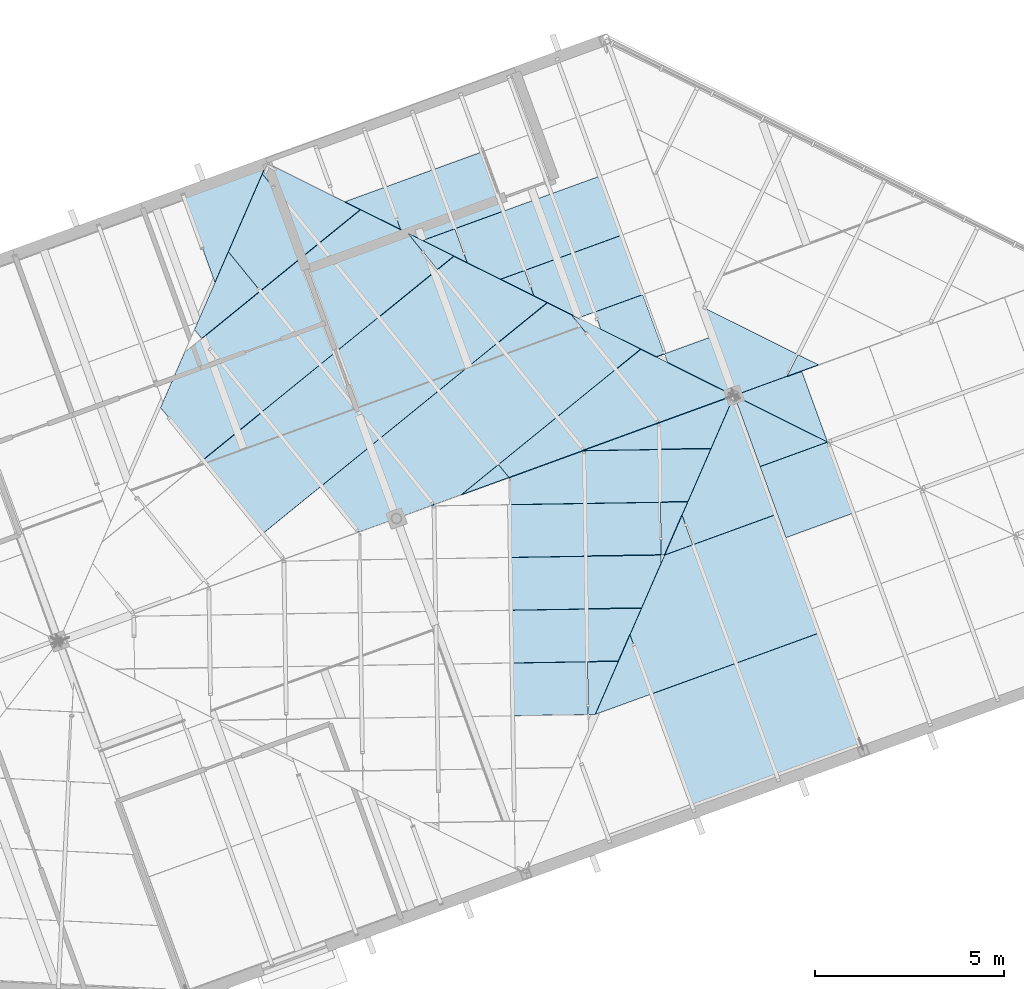
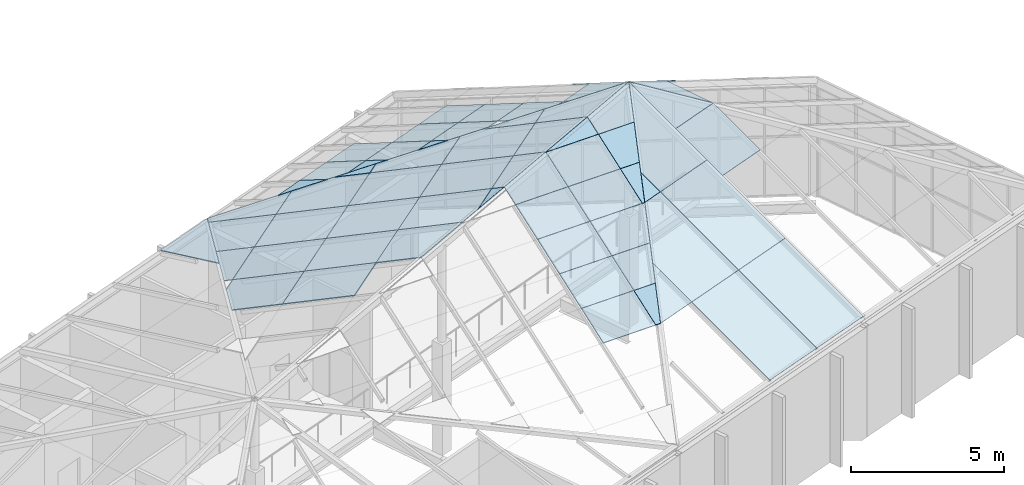
# One storey, part 41 of 95: 61 plates.
"""IFC4 building model written with IfcOpenShell, lengths in metres."""

from ifc_helpers import new_model, si_unit, direction, frame, origin, place, context, subcontext, project, spatial, polyline, outline, extrude, material, layer, layer_set, type_object, element, save


model = new_model("IFC4")

# Units and contexts
model_context = context("Model", 3, precision=1e-05, world=origin(), true_north=direction((0.0, 1.0)))
body_context = subcontext(model_context, "Body", "Model", "MODEL_VIEW")
ifc_project = project(units=[si_unit("LENGTHUNIT", "METRE"), si_unit("AREAUNIT", "SQUARE_METRE"), si_unit("VOLUMEUNIT", "CUBIC_METRE"), si_unit("PLANEANGLEUNIT", "RADIAN"), si_unit("MASSUNIT", "GRAM", prefix="KILO")], contexts=[model_context])

# Site, building, storey
site_placement = place(None, origin())
site = spatial("IfcSite", under=ifc_project, at=site_placement, CompositionType="ELEMENT")
building_placement = place(site_placement, origin())
building = spatial("IfcBuilding", under=site, at=building_placement, Name="Windward Yard Aquatics Centre", CompositionType="ELEMENT")
storey_placement = place(building_placement, frame((0.0, 0.0, 9.39990234375)))
storey = spatial("IfcBuildingStorey", under=building, at=storey_placement, Name="L02", CompositionType="ELEMENT", Elevation=9.39990234375)

# Plates
ifc_material = material(Name="Laminated glass, low-e coated", Category="glass")
ifc_layer = layer(ifc_material, 0.035888671875)
ifc_layer_set = layer_set([ifc_layer], Name="F roof glass panel 36")
plate_type = type_object("IfcPlateType", Name="F roof glass panel 36", PredefinedType="SHEET", material=ifc_layer_set)
for number, where, z_axis, x_axis, name in (
    (1, (34.97802734375, 88.171142578125, 6.36572265625), (0.149250543266, -0.410073899698, 0.899757562969), (0.939709071962, 0.34197494018, -1.8996433e-05), "F.RF.G.01.001"),
    (2, (33.837890625, 91.303466796875, 7.982421875), (0.149250543266, -0.410073899698, 0.899757562969), (0.939709071962, 0.34197494018, -1.8996433e-05), "F.RF.G.01.002"),
):
    element("IfcPlate", number, at=place(storey_placement, frame(where, z_axis=z_axis, x_axis=x_axis)), inside=storey, type_object=plate_type, Name=name, PredefinedType="SHEET", context=body_context, shape_type="SweptSolid", body=[
        extrude(outline(polyline([(0.0, 0.0), (2.370968, 0.0), (2.371178, -3.700132), (0.000127, -3.700339), (0.0, 0.0)])), origin(), (0.0, 0.0, -1.0), 0.035888671875),
    ])
plate_1_placement = place(storey_placement, frame((33.552490234375, 92.087646484375, 8.38720703125), z_axis=(0.149258099079, -0.410060037869, 0.899762627142), x_axis=(0.376664124604, 0.864927057215, 0.331700652598)))
element("IfcPlate", 3, at=plate_1_placement, inside=storey, type_object=plate_type, Name="F.RF.G.01.003", PredefinedType="SHEET", context=body_context, shape_type="SweptSolid", body=[
    extrude(outline(polyline([(0.0, 0.0), (3.649162, 0.0), (0.839034, -2.402168), (-0.70167, -0.599915), (0.0, 0.0)])), origin(), (0.0, 0.0, -1.0), 0.035888671875),
])
plate_2_placement = place(storey_placement, frame((32.74609375, 87.35888671875, 6.36572265625), z_axis=(0.149256249007, -0.41006710833, 0.8997597117), x_axis=(0.939707925111, 0.341978091129, -2.5910388e-05)))
element("IfcPlate", 4, at=plate_2_placement, inside=storey, type_object=plate_type, Name="F.RF.G.01.004", PredefinedType="SHEET", context=body_context, shape_type="SweptSolid", body=[
    extrude(outline(polyline([(0.0, 0.0), (2.370968, 0.0), (2.371178, -3.700132), (0.000356, -3.700414), (0.0, 0.0)])), origin(), (0.0, 0.0, -1.0), 0.035888671875),
])
plate_3_placement = place(storey_placement, frame((32.17578125, 88.926025390625, 7.1748046875), z_axis=(0.1493037838, -0.410077293347, 0.899747183171), x_axis=(0.376681456048, 0.864920540934, 0.33169796282)))
element("IfcPlate", 5, at=plate_3_placement, inside=storey, type_object=plate_type, Name="F.RF.G.01.005", PredefinedType="SHEET", context=body_context, shape_type="SweptSolid", body=[
    extrude(outline(polyline([(0.0, 0.0), (2.435088, 0.0), (2.947622, -0.599567), (0.135098, -3.003872), (-1.40564, -1.201648), (0.0, 0.0)])), origin(), (0.0, 0.0, -1.0), 0.035888671875),
])
plate_4_placement = place(storey_placement, frame((33.09521484375, 91.037353515625, 7.984375), z_axis=(0.149363639577, -0.410206868328, 0.899678180434), x_axis=(0.376668975113, 0.864883698221, 0.331808185159)))
element("IfcPlate", 6, at=plate_4_placement, inside=storey, type_object=plate_type, Name="F.RF.G.01.006", PredefinedType="SHEET", context=body_context, shape_type="SweptSolid", body=[
    extrude(outline(polyline([(0.0, 0.0), (1.208165, 0.0), (0.51008, -0.596589), (0.0, 0.0)])), origin(), (0.0, 0.0, -1.0), 0.035888671875),
])
plate_5_placement = place(storey_placement, frame((31.259521484375, 86.822021484375, 6.36767578125), z_axis=(0.149195999426, -0.410086286465, 0.899760963483), x_axis=(0.376706933051, 0.864896580264, 0.331731505948)))
element("IfcPlate", 7, at=plate_5_placement, inside=storey, type_object=plate_type, Name="F.RF.G.01.008", PredefinedType="SHEET", context=body_context, shape_type="SweptSolid", body=[
    extrude(outline(polyline([(0.0, 0.0), (2.426455, 0.0), (1.024396, -1.198585), (0.0, 0.0)])), origin(), (0.0, 0.0, -1.0), 0.035888671875),
])
plate_6_placement = place(storey_placement, frame((35.61376953125, 93.36865234375, 8.629150390625), z_axis=(0.14927906814, -0.410046813558, 0.899765175202), x_axis=(0.939684160093, 0.342043387169, -2.3755928e-05)))
element("IfcPlate", 8, at=plate_6_placement, inside=storey, type_object=plate_type, Name="F.RF.G.02.014", PredefinedType="SHEET", context=body_context, shape_type="SweptSolid", body=[
    extrude(outline(polyline([(0.0, 0.0), (1.895836, 0.0), (1.895805, -2.218216), (-0.000114, -2.218422), (0.0, 0.0)])), origin(), (0.0, 0.0, -1.0), 0.035888671875),
])
plate_7_placement = place(storey_placement, frame((34.9306640625, 95.2451171875, 9.59765625), z_axis=(0.149265048403, -0.410042846876, 0.899769308796), x_axis=(0.84452681723, -0.420420195323, -0.331694610061)))
element("IfcPlate", 9, at=plate_7_placement, inside=storey, type_object=plate_type, Name="F.RF.G.02.015", PredefinedType="SHEET", context=body_context, shape_type="SweptSolid", body=[
    extrude(outline(polyline([(0.0, 0.0), (2.913984, 0.0), (1.683628, -1.439321), (0.0, 0.0)])), origin(), (0.0, 0.0, -1.0), 0.035888671875),
])
plate_8_placement = place(storey_placement, frame((34.93212890625, 95.248779296875, 9.59765625), z_axis=(0.42726892999, 0.1555122999, 0.890649867257), x_axis=(0.83690946178, 0.304696144106, -0.454689798159)))
element("IfcPlate", 10, at=plate_8_placement, inside=storey, type_object=plate_type, Name="F.RF.G.03.005", PredefinedType="SHEET", context=body_context, shape_type="SweptSolid", body=[
    extrude(outline(polyline([(0.0, 0.0), (2.125741, 0.0), (2.125577, -1.992994), (0.0, 0.0)])), origin(), (0.0, 0.0, -1.0), 0.035888671875),
])
plate_9_placement = place(storey_placement, frame((34.11181640625, 97.494873046875, 8.440185546875), z_axis=(0.256576841481, 0.515405649617, 0.817633989483), x_axis=(0.363468251723, 0.73240460973, -0.575738063389)))
element("IfcPlate", 11, at=plate_9_placement, inside=storey, type_object=plate_type, Name="F.RF.G.04.009", PredefinedType="SHEET", context=body_context, shape_type="SweptSolid", body=[
    extrude(outline(polyline([(0.0, 0.0), (0.089241, 0.0), (0.086254, -2.75458), (-0.695627, -2.75376), (-2.012847, -1.728473), (0.0, 0.0)])), origin(), (0.0, 0.0, -1.0), 0.035888671875),
])
plate_10_placement = place(storey_placement, frame((36.330810546875, 95.76220703125, 8.836181640625), z_axis=(0.256622120987, 0.51557505143, 0.817512968315), x_axis=(0.364344927992, 0.731833470549, -0.575910188164)))
element("IfcPlate", 12, at=plate_10_placement, inside=storey, type_object=plate_type, Name="F.RF.G.04.013", PredefinedType="SHEET", context=body_context, shape_type="SweptSolid", body=[
    extrude(outline(polyline([(0.0, 0.0), (0.776624, 0.0), (0.776668, -0.603237), (0.0, 0.0)])), origin(), (0.0, 0.0, -1.0), 0.035888671875),
])
plate_11_placement = place(storey_placement, frame((24.642578125, 100.3720703125, 5.559326171875), z_axis=(-0.149231390388, 0.410078385778, 0.899758695229), x_axis=(0.939710984281, 0.341969685823, 0.0)))
element("IfcPlate", 13, at=plate_11_placement, inside=storey, type_object=plate_type, Name="F.RF.G.05.003", PredefinedType="SHEET", context=body_context, shape_type="SweptSolid", body=[
    extrude(outline(polyline([(0.0, 0.0), (1.124431, 0.0), (1.124522, -1.315286), (0.0, 0.0)])), origin(), (0.0, 0.0, -1.0), 0.035888671875),
])
plate_12_placement = place(storey_placement, frame((25.702880859375, 100.7578125, 5.559326171875), z_axis=(-0.149190020019, 0.410100809841, 0.899755335463), x_axis=(0.939699352507, 0.342001640703, -6.8223665e-05)))
element("IfcPlate", 14, at=plate_12_placement, inside=storey, type_object=plate_type, Name="F.RF.G.05.005", PredefinedType="SHEET", context=body_context, shape_type="SweptSolid", body=[
    extrude(outline(polyline([(0.0, 0.0), (1.353352, 0.0), (1.353236, -1.84797), (0.451467, -1.847888), (5.1e-05, -1.319998), (0.0, 0.0)])), origin(), (0.0, 0.0, -1.0), 0.035888671875),
])
plate_13_placement = place(storey_placement, frame((26.70068359375, 99.347412109375, 6.36767578125), z_axis=(-0.14921981594, 0.41005795207, 0.899769927523), x_axis=(0.939714031914, 0.341961311006, 0.0)))
element("IfcPlate", 15, at=plate_13_placement, inside=storey, type_object=plate_type, Name="F.RF.G.05.006", PredefinedType="SHEET", context=body_context, shape_type="SweptSolid", body=[
    extrude(outline(polyline([(0.0, 0.0), (0.898139, 0.0), (0.898087, -1.050718), (0.0, 0.0)])), origin(), (0.0, 0.0, -1.0), 0.035888671875),
])
plate_14_placement = place(storey_placement, frame((26.978271484375, 101.22216796875, 5.559326171875), z_axis=(-0.149245267617, 0.41006032907, 0.899764622897), x_axis=(0.939719396179, 0.341946567955, 3.3287137e-05)))
element("IfcPlate", 16, at=plate_14_placement, inside=storey, type_object=plate_type, Name="F.RF.G.05.008", PredefinedType="SHEET", context=body_context, shape_type="SweptSolid", body=[
    extrude(outline(polyline([(0.0, 0.0), (1.353039, 0.0), (1.353415, -1.847838), (0.000293, -1.848045), (0.0, 0.0)])), origin(), (0.0, 0.0, -1.0), 0.035888671875),
])
plate_15_placement = place(storey_placement, frame((27.54833984375, 99.656005859375, 6.36767578125), z_axis=(-0.14919961475, 0.410107720016, 0.899750594855), x_axis=(0.939728215986, 0.341922329899, -1.9893672e-05)))
element("IfcPlate", 17, at=plate_15_placement, inside=storey, type_object=plate_type, Name="F.RF.G.05.009", PredefinedType="SHEET", context=body_context, shape_type="SweptSolid", body=[
    extrude(outline(polyline([(0.0, 0.0), (1.353039, 0.0), (1.353185, -1.847763), (0.677625, -1.84796), (1.8e-05, -1.05543), (0.0, 0.0)])), origin(), (0.0, 0.0, -1.0), 0.035888671875),
])
plate_16_placement = place(storey_placement, frame((28.758544921875, 98.32275390625, 7.176025390625), z_axis=(-0.149225374486, 0.410092261871, 0.899753368631), x_axis=(0.939719132392, 0.341947294501, 0.0)))
element("IfcPlate", 18, at=plate_16_placement, inside=storey, type_object=plate_type, Name="F.RF.G.05.010", PredefinedType="SHEET", context=body_context, shape_type="SweptSolid", body=[
    extrude(outline(polyline([(0.0, 0.0), (0.671847, 0.0), (0.671965, -0.786019), (0.0, 0.0)])), origin(), (0.0, 0.0, -1.0), 0.035888671875),
])
plate_17_placement = place(storey_placement, frame((28.823486328125, 100.1201171875, 6.36767578125), z_axis=(-0.149262073351, 0.410037715744, 0.89977214067), x_axis=(0.939686028057, 0.342038255942, 1.2113827e-05)))
element("IfcPlate", 19, at=plate_17_placement, inside=storey, type_object=plate_type, Name="F.RF.G.05.013", PredefinedType="SHEET", context=body_context, shape_type="SweptSolid", body=[
    extrude(outline(polyline([(0.0, 0.0), (1.353352, 0.0), (1.353236, -1.84797), (0.000113, -1.848045), (0.0, 0.0)])), origin(), (0.0, 0.0, -1.0), 0.035888671875),
])
plate_18_placement = place(storey_placement, frame((29.393798828125, 98.553955078125, 7.176025390625), z_axis=(-0.149275386969, 0.410047959386, 0.899765263749), x_axis=(0.939667593843, 0.342088896438, -4.012402e-06)))
element("IfcPlate", 20, at=plate_18_placement, inside=storey, type_object=plate_type, Name="F.RF.G.05.014", PredefinedType="SHEET", context=body_context, shape_type="SweptSolid", body=[
    extrude(outline(polyline([(0.0, 0.0), (1.353122, 0.0), (1.352904, -1.84797), (0.903177, -1.847932), (-0.00018, -0.790549), (0.0, 0.0)])), origin(), (0.0, 0.0, -1.0), 0.035888671875),
])
plate_19_placement = place(storey_placement, frame((30.098876953125, 100.584228515625, 6.36767578125), z_axis=(-0.149226033664, 0.410086209102, 0.89975601803), x_axis=(0.939693557908, 0.342017566972, -3.3281222e-05)))
element("IfcPlate", 21, at=plate_19_placement, inside=storey, type_object=plate_type, Name="F.RF.G.05.018", PredefinedType="SHEET", context=body_context, shape_type="SweptSolid", body=[
    extrude(outline(polyline([(0.0, 0.0), (1.353352, 0.0), (1.353236, -1.84797), (-3.3e-05, -1.847763), (0.0, 0.0)])), origin(), (0.0, 0.0, -1.0), 0.035888671875),
])
plate_20_placement = place(storey_placement, frame((30.6689453125, 99.01806640625, 7.176025390625), z_axis=(-0.149235650042, 0.410073269977, 0.899760320312), x_axis=(0.939674459393, 0.342070034209, -4.5399551e-05)))
element("IfcPlate", 22, at=plate_20_placement, inside=storey, type_object=plate_type, Name="F.RF.G.05.019", PredefinedType="SHEET", context=body_context, shape_type="SweptSolid", body=[
    extrude(outline(polyline([(0.0, 0.0), (1.353122, 0.0), (1.353133, -1.848045), (-0.000135, -1.847763), (0.0, 0.0)])), origin(), (0.0, 0.0, -1.0), 0.035888671875),
])
plate_21_placement = place(storey_placement, frame((31.239013671875, 97.451904296875, 7.984375), z_axis=(-0.149224840742, 0.410096782385, 0.899751396766), x_axis=(0.939677175836, 0.342062569419, -6.1775042e-05)))
element("IfcPlate", 23, at=plate_21_placement, inside=storey, type_object=plate_type, Name="F.RF.G.05.020", PredefinedType="SHEET", context=body_context, shape_type="SweptSolid", body=[
    extrude(outline(polyline([(0.0, 0.0), (1.353122, 0.0), (1.352904, -1.84797), (1.129698, -1.848027), (-7.1e-05, -0.526163), (0.0, 0.0)])), origin(), (0.0, 0.0, -1.0), 0.035888671875),
])
plate_22_placement = place(storey_placement, frame((33.084228515625, 96.35009765625, 8.792724609375), z_axis=(-0.149152217056, 0.410137212333, 0.899745010104), x_axis=(0.939753438972, 0.341852997547, -4.4819958e-05)))
element("IfcPlate", 24, at=plate_22_placement, inside=storey, type_object=plate_type, Name="F.RF.G.05.026", PredefinedType="SHEET", context=body_context, shape_type="SweptSolid", body=[
    extrude(outline(polyline([(0.0, 0.0), (1.353268, 0.0), (1.353518, -1.844553), (9.2e-05, -0.26167), (0.0, 0.0)])), origin(), (0.0, 0.0, -1.0), 0.035888671875),
])
plate_23_placement = place(storey_placement, frame((20.3505859375, 100.58349609375, 4.75048828125), z_axis=(-0.081393564523, 0.223623789689, 0.971271068415), x_axis=(0.939691052266, 0.342024452767, 0.0)))
element("IfcPlate", 25, at=plate_23_placement, inside=storey, type_object=plate_type, Name="F.RF.G.06.009", PredefinedType="SHEET", context=body_context, shape_type="SweptSolid", body=[
    extrude(outline(polyline([(0.0, 0.0), (2.368423, 0.0), (-0.000162, -2.566814), (0.0, 0.0)])), origin(), (0.0, 0.0, -1.0), 0.035888671875),
])
plate_24_placement = place(storey_placement, frame((32.978759765625, 92.42529296875, 8.521484375), z_axis=(0.005858521245, -0.360299056565, 0.932818453702), x_axis=(0.999868063118, 0.016243654933, -5.547427e-06)))
element("IfcPlate", 26, at=plate_24_placement, inside=storey, type_object=plate_type, Name="F.RF.G.12.001", PredefinedType="SHEET", context=body_context, shape_type="SweptSolid", body=[
    extrude(outline(polyline([(0.0, 0.0), (0.721531, 0.0), (0.088747, -1.491211), (-0.00062, -1.491224), (0.0, 0.0)])), origin(), (0.0, 0.0, -1.0), 0.035888671875),
])
plate_25_placement = place(storey_placement, frame((32.95654296875, 93.820556640625, 9.060302734375), z_axis=(0.005709200403, -0.360102529099, 0.932895263986), x_axis=(0.999874401434, 0.015848701996, -1.421021e-06)))
element("IfcPlate", 27, at=plate_25_placement, inside=storey, type_object=plate_type, Name="F.RF.G.12.002", PredefinedType="SHEET", context=body_context, shape_type="SweptSolid", body=[
    extrude(outline(polyline([(0.0, 0.0), (1.355639, 0.0), (0.723403, -1.491355), (-7.7e-05, -1.491364), (0.0, 0.0)])), origin(), (0.0, 0.0, -1.0), 0.035888671875),
])
plate_26_placement = place(storey_placement, frame((32.9453125, 94.52587890625, 9.3330078125), z_axis=(0.005710150322, -0.360294553891, 0.932821112872), x_axis=(0.932317965892, 0.339232164886, 0.125318589135)))
element("IfcPlate", 28, at=plate_26_placement, inside=storey, type_object=plate_type, Name="F.RF.G.12.003", PredefinedType="SHEET", context=body_context, shape_type="SweptSolid", body=[
    extrude(outline(polyline([(0.0, 0.0), (2.121623, 0.0), (1.011404, -1.177293), (-0.261433, -0.705126), (0.0, 0.0)])), origin(), (0.0, 0.0, -1.0), 0.035888671875),
])
plate_27_placement = place(storey_placement, frame((31.050537109375, 88.20849609375, 6.90478515625), z_axis=(0.005740688271, -0.360250268601, 0.932838029066), x_axis=(0.999873590062, 0.015899802793, -1.2922248e-05)))
element("IfcPlate", 29, at=plate_27_placement, inside=storey, type_object=plate_type, Name="F.RF.G.12.004", PredefinedType="SHEET", context=body_context, shape_type="SweptSolid", body=[
    extrude(outline(polyline([(0.0, 0.0), (0.814068, 0.0), (0.181767, -1.491416), (-0.000142, -1.491452), (0.0, 0.0)])), origin(), (0.0, 0.0, -1.0), 0.035888671875),
])
plate_28_placement = place(storey_placement, frame((31.0283203125, 89.603515625, 7.44384765625), z_axis=(0.005748929352, -0.360279187408, 0.93282680972), x_axis=(0.999871907449, 0.016005258992, 1.9477085e-05)))
element("IfcPlate", 30, at=plate_28_placement, inside=storey, type_object=plate_type, Name="F.RF.G.12.005", PredefinedType="SHEET", context=body_context, shape_type="SweptSolid", body=[
    extrude(outline(polyline([(0.0, 0.0), (1.448428, 0.0), (0.815963, -1.491346), (-0.000302, -1.491224), (0.0, 0.0)])), origin(), (0.0, 0.0, -1.0), 0.035888671875),
])
plate_29_placement = place(storey_placement, frame((31.006103515625, 90.998779296875, 7.982666015625), z_axis=(0.005746296773, -0.360259101567, 0.932834583306), x_axis=(0.99987461208, 0.015835346839, -4.3682376e-05)))
element("IfcPlate", 31, at=plate_29_placement, inside=storey, type_object=plate_type, Name="F.RF.G.12.006", PredefinedType="SHEET", context=body_context, shape_type="SweptSolid", body=[
    extrude(outline(polyline([(0.0, 0.0), (1.990972, 0.0), (1.990963, -0.215744), (1.450341, -1.491446), (0.000209, -1.491455), (0.0, 0.0)])), origin(), (0.0, 0.0, -1.0), 0.035888671875),
])
plate_30_placement = place(storey_placement, frame((30.98388671875, 92.393798828125, 8.521484375), z_axis=(0.005699208605, -0.360242999699, 0.932841090534), x_axis=(0.999874880069, 0.015818476763, 0.0)))
element("IfcPlate", 32, at=plate_30_placement, inside=storey, type_object=plate_type, Name="F.RF.G.12.007", PredefinedType="SHEET", context=body_context, shape_type="SweptSolid", body=[
    extrude(outline(polyline([(0.0, 0.0), (1.990972, 0.0), (1.99118, -1.491455), (0.000209, -1.491455), (0.0, 0.0)])), origin(), (0.0, 0.0, -1.0), 0.035888671875),
])
plate_31_placement = place(storey_placement, frame((30.961669921875, 93.788818359375, 9.060302734375), z_axis=(0.005719467454, -0.360127703642, 0.932885483198), x_axis=(0.999874754026, 0.015826428431, -2.0598226e-05)))
element("IfcPlate", 33, at=plate_31_placement, inside=storey, type_object=plate_type, Name="F.RF.G.12.008", PredefinedType="SHEET", context=body_context, shape_type="SweptSolid", body=[
    extrude(outline(polyline([(0.0, 0.0), (1.990972, 0.0), (1.991184, -1.491139), (0.000209, -1.491367), (0.0, 0.0)])), origin(), (0.0, 0.0, -1.0), 0.035888671875),
])
plate_32_placement = place(storey_placement, frame((30.96142578125, 93.8037109375, 9.066162109375), z_axis=(0.005697210958, -0.360010988441, 0.9329306673), x_axis=(0.932279119516, 0.339359418374, 0.125263037144)))
element("IfcPlate", 34, at=plate_32_placement, inside=storey, type_object=plate_type, Name="F.RF.G.12.009", PredefinedType="SHEET", context=body_context, shape_type="SweptSolid", body=[
    extrude(outline(polyline([(0.0, 0.0), (2.123806, 0.0), (1.862659, -0.703489), (-0.004021, -0.011037), (0.0, 0.0)])), origin(), (0.0, 0.0, -1.0), 0.035888671875),
])
plate_33_placement = place(storey_placement, frame((29.0556640625, 88.177001953125, 6.90478515625), z_axis=(0.005699208605, -0.360242999699, 0.932841090534), x_axis=(0.999874880069, 0.015818476763, 0.0)))
element("IfcPlate", 35, at=plate_33_placement, inside=storey, type_object=plate_type, Name="F.RF.G.12.013", PredefinedType="SHEET", context=body_context, shape_type="SweptSolid", body=[
    extrude(outline(polyline([(0.0, 0.0), (1.990972, 0.0), (1.99118, -1.491455), (0.000209, -1.491455), (0.0, 0.0)])), origin(), (0.0, 0.0, -1.0), 0.035888671875),
])
plate_34_placement = place(storey_placement, frame((29.033447265625, 89.572021484375, 7.44384765625), z_axis=(0.005698866123, -0.360243440324, 0.932840922467), x_axis=(0.999874908756, 0.015816663378, -3.25903e-07)))
element("IfcPlate", 36, at=plate_34_placement, inside=storey, type_object=plate_type, Name="F.RF.G.12.014", PredefinedType="SHEET", context=body_context, shape_type="SweptSolid", body=[
    extrude(outline(polyline([(0.0, 0.0), (1.991216, 0.0), (1.991183, -1.491452), (0.000211, -1.491455), (0.0, 0.0)])), origin(), (0.0, 0.0, -1.0), 0.035888671875),
])
plate_35_placement = place(storey_placement, frame((29.01123046875, 90.967041015625, 7.982666015625), z_axis=(0.005721385952, -0.360270592644, 0.93283029851), x_axis=(0.999874782628, 0.015824620888, -2.0929841e-05)))
element("IfcPlate", 37, at=plate_35_placement, inside=storey, type_object=plate_type, Name="F.RF.G.12.015", PredefinedType="SHEET", context=body_context, shape_type="SweptSolid", body=[
    extrude(outline(polyline([(0.0, 0.0), (1.991216, 0.0), (1.991187, -1.491224), (0.000211, -1.491455), (0.0, 0.0)])), origin(), (0.0, 0.0, -1.0), 0.035888671875),
])
plate_36_placement = place(storey_placement, frame((28.9892578125, 92.362060546875, 8.521484375), z_axis=(0.005721743634, -0.360271023901, 0.93283012976), x_axis=(0.999874753926, 0.015826434762, -2.0605201e-05)))
element("IfcPlate", 38, at=plate_36_placement, inside=storey, type_object=plate_type, Name="F.RF.G.12.016", PredefinedType="SHEET", context=body_context, shape_type="SweptSolid", body=[
    extrude(outline(polyline([(0.0, 0.0), (1.990972, 0.0), (1.99094, -1.491224), (-3.5e-05, -1.491452), (0.0, 0.0)])), origin(), (0.0, 0.0, -1.0), 0.035888671875),
])
plate_37_placement = place(storey_placement, frame((28.977783203125, 93.081787109375, 8.799560546875), z_axis=(0.005743591531, -0.360111678081, 0.932891521274), x_axis=(0.932298895122, 0.339313345021, 0.125240664502)))
element("IfcPlate", 39, at=plate_37_placement, inside=storey, type_object=plate_type, Name="F.RF.G.12.017", PredefinedType="SHEET", context=body_context, shape_type="SweptSolid", body=[
    extrude(outline(polyline([(0.0, 0.0), (2.0816, 0.0), (2.118494, -0.013578), (1.599916, -1.411882), (-0.26703, -0.719443), (0.0, 0.0)])), origin(), (0.0, 0.0, -1.0), 0.035888671875),
])
plate_38_placement = place(storey_placement, frame((19.76611328125, 94.9306640625, 6.00341796875), z_axis=(-0.227127413985, 0.279595618098, 0.932866243444), x_axis=(0.393094824187, 0.902719833809, -0.174852397309)))
element("IfcPlate", 40, at=plate_38_placement, inside=storey, type_object=plate_type, Name="F.RF.G.13.009", PredefinedType="SHEET", context=body_context, shape_type="SweptSolid", body=[
    extrude(outline(polyline([(0.0, 0.0), (1.615403, 0.0), (2.121472, -0.280908), (0.81672, -2.630998), (-0.924021, -1.664526), (0.0, 0.0)])), origin(), (0.0, 0.0, -1.0), 0.035888671875),
])
plate_39_placement = place(storey_placement, frame((20.888671875, 93.549072265625, 6.69091796875), z_axis=(-0.227152295797, 0.279611135015, 0.932855534201), x_axis=(0.776135918978, 0.630565646942, -1.2992791e-05)))
element("IfcPlate", 41, at=plate_39_placement, inside=storey, type_object=plate_type, Name="F.RF.G.13.010", PredefinedType="SHEET", context=body_context, shape_type="SweptSolid", body=[
    extrude(outline(polyline([(0.0, 0.0), (1.990853, 0.0), (1.990844, -2.687816), (-0.000198, -2.687673), (0.0, 0.0)])), origin(), (0.0, 0.0, -1.0), 0.035888671875),
])
plate_40_placement = place(storey_placement, frame((20.6630859375, 96.990478515625, 5.604248046875), z_axis=(-0.227114342823, 0.279582577118, 0.932873334304), x_axis=(0.393098319392, 0.902720096235, -0.174843184439)))
element("IfcPlate", 42, at=plate_40_placement, inside=storey, type_object=plate_type, Name="F.RF.G.13.012", PredefinedType="SHEET", context=body_context, shape_type="SweptSolid", body=[
    extrude(outline(polyline([(0.0, 0.0), (2.277458, 0.0), (1.58605, -1.245698), (-0.154697, -0.279235), (0.0, 0.0)])), origin(), (0.0, 0.0, -1.0), 0.035888671875),
])
plate_41_placement = place(storey_placement, frame((20.853515625, 96.75634765625, 5.720947265625), z_axis=(-0.227135418929, 0.279612446873, 0.932859250381), x_axis=(0.776181508529, 0.630509528729, 0.0)))
element("IfcPlate", 43, at=plate_41_placement, inside=storey, type_object=plate_type, Name="F.RF.G.13.013", PredefinedType="SHEET", context=body_context, shape_type="SweptSolid", body=[
    extrude(outline(polyline([(0.0, 0.0), (1.991042, 0.0), (1.991228, -2.687816), (0.000186, -2.687816), (0.0, 0.0)])), origin(), (0.0, 0.0, -1.0), 0.035888671875),
])
plate_42_placement = place(storey_placement, frame((22.43701171875, 94.80712890625, 6.69091796875), z_axis=(-0.227120481415, 0.279594058218, 0.932868398828), x_axis=(0.776181508529, 0.630509528729, 0.0)))
element("IfcPlate", 44, at=plate_42_placement, inside=storey, type_object=plate_type, Name="F.RF.G.13.014", PredefinedType="SHEET", context=body_context, shape_type="SweptSolid", body=[
    extrude(outline(polyline([(0.0, 0.0), (1.991042, 0.0), (1.991074, -2.687993), (3.2e-05, -2.687993), (0.0, 0.0)])), origin(), (0.0, 0.0, -1.0), 0.035888671875),
])
plate_43_placement = place(storey_placement, frame((24.0205078125, 92.85791015625, 7.660888671875), z_axis=(-0.227133383664, 0.279594197654, 0.9328652157), x_axis=(0.776179253911, 0.630512304172, 9.260153e-06)))
element("IfcPlate", 45, at=plate_43_placement, inside=storey, type_object=plate_type, Name="F.RF.G.13.015", PredefinedType="SHEET", context=body_context, shape_type="SweptSolid", body=[
    extrude(outline(polyline([(0.0, 0.0), (1.991042, 0.0), (1.990929, -2.418816), (3.8e-05, -1.680178), (0.0, 0.0)])), origin(), (0.0, 0.0, -1.0), 0.035888671875),
])
plate_44_placement = place(storey_placement, frame((21.560302734375, 99.050537109375, 5.205078125), z_axis=(-0.227196274574, 0.279642282886, 0.932835487341), x_axis=(0.393050873021, 0.902731950753, -0.174888639731)))
element("IfcPlate", 46, at=plate_44_placement, inside=storey, type_object=plate_type, Name="F.RF.G.13.016", PredefinedType="SHEET", context=body_context, shape_type="SweptSolid", body=[
    extrude(outline(polyline([(0.0, 0.0), (2.277141, 0.0), (1.047876, -2.21396), (-0.692813, -1.247392), (0.0, 0.0)])), origin(), (0.0, 0.0, -1.0), 0.035888671875),
])
plate_45_placement = place(storey_placement, frame((22.402099609375, 98.01416015625, 5.720947265625), z_axis=(-0.227152295797, 0.279611135015, 0.932855534201), x_axis=(0.776135918978, 0.630565646942, -1.2992791e-05)))
element("IfcPlate", 47, at=plate_45_placement, inside=storey, type_object=plate_type, Name="F.RF.G.13.017", PredefinedType="SHEET", context=body_context, shape_type="SweptSolid", body=[
    extrude(outline(polyline([(0.0, 0.0), (1.990853, 0.0), (1.990844, -2.687816), (-0.000198, -2.687673), (0.0, 0.0)])), origin(), (0.0, 0.0, -1.0), 0.035888671875),
])
plate_46_placement = place(storey_placement, frame((23.985595703125, 96.06494140625, 6.69091796875), z_axis=(-0.227147554344, 0.279627386036, 0.932851817565), x_axis=(0.776181508529, 0.630509528729, 0.0)))
element("IfcPlate", 48, at=plate_46_placement, inside=storey, type_object=plate_type, Name="F.RF.G.13.018", PredefinedType="SHEET", context=body_context, shape_type="SweptSolid", body=[
    extrude(outline(polyline([(0.0, 0.0), (1.991042, 0.0), (1.991038, -2.687673), (-4e-06, -2.687673), (0.0, 0.0)])), origin(), (0.0, 0.0, -1.0), 0.035888671875),
])
plate_47_placement = place(storey_placement, frame((25.569091796875, 94.11572265625, 7.660888671875), z_axis=(-0.227208214983, 0.279665509165, 0.932825616087), x_axis=(0.776176272342, 0.630515974255, 2.1498524e-05)))
element("IfcPlate", 49, at=plate_47_placement, inside=storey, type_object=plate_type, Name="F.RF.G.13.019", PredefinedType="SHEET", context=body_context, shape_type="SweptSolid", body=[
    extrude(outline(polyline([(0.0, 0.0), (1.991042, 0.0), (1.991038, -2.68776), (0.72148, -2.687843), (2.9e-05, -2.420361), (0.0, 0.0)])), origin(), (0.0, 0.0, -1.0), 0.035888671875),
])
plate_48_placement = place(storey_placement, frame((27.721435546875, 92.628662109375, 8.630859375), z_axis=(-0.227263604263, 0.279795142213, 0.932773248207), x_axis=(0.776208962764, 0.630475730005, 0.0)))
element("IfcPlate", 50, at=plate_48_placement, inside=storey, type_object=plate_type, Name="F.RF.G.13.020", PredefinedType="SHEET", context=body_context, shape_type="SweptSolid", body=[
    extrude(outline(polyline([(0.0, 0.0), (1.258118, 0.0), (1.258089, -0.466657), (0.0, 0.0)])), origin(), (0.0, 0.0, -1.0), 0.035888671875),
])
plate_49_placement = place(storey_placement, frame((22.457275390625, 101.1103515625, 4.80615234375), z_axis=(-0.227177505801, 0.279591755935, 0.932855203593), x_axis=(0.392879903804, 0.902802845775, -0.174906840482)))
element("IfcPlate", 51, at=plate_49_placement, inside=storey, type_object=plate_type, Name="F.RF.G.13.021", PredefinedType="SHEET", context=body_context, shape_type="SweptSolid", body=[
    extrude(outline(polyline([(0.0, 0.0), (0.31448, 0.0), (0.00555, -2.902297), (-1.230638, -2.215534), (0.0, 0.0)])), origin(), (0.0, 0.0, -1.0), 0.035888671875),
])
plate_50_placement = place(storey_placement, frame((23.950439453125, 99.272216796875, 5.720947265625), z_axis=(-0.227126552638, 0.279587982874, 0.932868741528), x_axis=(0.776185066541, 0.630505148551, 1.1336748e-05)))
element("IfcPlate", 52, at=plate_50_placement, inside=storey, type_object=plate_type, Name="F.RF.G.13.022", PredefinedType="SHEET", context=body_context, shape_type="SweptSolid", body=[
    extrude(outline(polyline([(0.0, 0.0), (1.41605, 0.0), (1.991025, -1.356089), (1.991099, -2.687974), (5.7e-05, -2.687993), (0.0, 0.0)])), origin(), (0.0, 0.0, -1.0), 0.035888671875),
])
plate_51_placement = place(storey_placement, frame((25.533935546875, 97.322998046875, 6.69091796875), z_axis=(-0.227120481415, 0.279594058218, 0.932868398828), x_axis=(0.776181508529, 0.630509528729, 0.0)))
element("IfcPlate", 53, at=plate_51_placement, inside=storey, type_object=plate_type, Name="F.RF.G.13.023", PredefinedType="SHEET", context=body_context, shape_type="SweptSolid", body=[
    extrude(outline(polyline([(0.0, 0.0), (1.991042, 0.0), (1.991074, -2.687993), (3.2e-05, -2.687993), (0.0, 0.0)])), origin(), (0.0, 0.0, -1.0), 0.035888671875),
])
plate_52_placement = place(storey_placement, frame((27.117431640625, 95.373779296875, 7.660888671875), z_axis=(-0.227170315104, 0.279655405408, 0.932837875604), x_axis=(0.776181508529, 0.630509528729, 0.0)))
element("IfcPlate", 54, at=plate_52_placement, inside=storey, type_object=plate_type, Name="F.RF.G.13.024", PredefinedType="SHEET", context=body_context, shape_type="SweptSolid", body=[
    extrude(outline(polyline([(0.0, 0.0), (1.991042, 0.0), (1.991074, -2.688081), (3.2e-05, -2.688081), (0.0, 0.0)])), origin(), (0.0, 0.0, -1.0), 0.035888671875),
])
plate_53_placement = place(storey_placement, frame((28.700927734375, 93.42431640625, 8.630859375), z_axis=(-0.227160650122, 0.27967507289, 0.932834332902), x_axis=(0.776186029705, 0.630503962672, -1.8565563e-05)))
element("IfcPlate", 55, at=plate_53_placement, inside=storey, type_object=plate_type, Name="F.RF.G.13.025", PredefinedType="SHEET", context=body_context, shape_type="SweptSolid", body=[
    extrude(outline(polyline([(0.0, 0.0), (1.991042, 0.0), (1.991175, -1.206896), (9.4e-05, -0.468114), (0.0, 0.0)])), origin(), (0.0, 0.0, -1.0), 0.035888671875),
])
plate_54_placement = place(storey_placement, frame((26.30224609375, 99.541259765625, 6.212890625), z_axis=(-0.227201251536, 0.279608170053, 0.932844500729), x_axis=(0.844498090386, -0.420463816695, 0.331712457085)))
element("IfcPlate", 56, at=plate_54_placement, inside=storey, type_object=plate_type, Name="F.RF.G.13.026", PredefinedType="SHEET", context=body_context, shape_type="SweptSolid", body=[
    extrude(outline(polyline([(0.0, 0.0), (1.435938, 0.0), (1.217172, -0.516131), (0.0, 0.0)])), origin(), (0.0, 0.0, -1.0), 0.035888671875),
])
plate_55_placement = place(storey_placement, frame((27.08251953125, 98.580810546875, 6.69091796875), z_axis=(-0.227146651815, 0.279612907004, 0.932856377373), x_axis=(0.776074630521, 0.630641074366, -5.6418329e-05)))
element("IfcPlate", 57, at=plate_55_placement, inside=storey, type_object=plate_type, Name="F.RF.G.13.027", PredefinedType="SHEET", context=body_context, shape_type="SweptSolid", body=[
    extrude(outline(polyline([(0.0, 0.0), (0.562486, 0.0), (1.701766, -2.688027), (-0.000484, -2.687672), (0.0, 0.0)])), origin(), (0.0, 0.0, -1.0), 0.035888671875),
])
plate_56_placement = place(storey_placement, frame((28.666015625, 96.631591796875, 7.660888671875), z_axis=(-0.227176226478, 0.279687727334, 0.932826745597), x_axis=(0.776156866374, 0.630539862145, -3.2024145e-05)))
element("IfcPlate", 58, at=plate_56_placement, inside=storey, type_object=plate_type, Name="F.RF.G.13.028", PredefinedType="SHEET", context=body_context, shape_type="SweptSolid", body=[
    extrude(outline(polyline([(0.0, 0.0), (1.703623, 0.0), (1.990829, -0.677305), (1.990909, -2.687856), (-0.000287, -2.687937), (0.0, 0.0)])), origin(), (0.0, 0.0, -1.0), 0.035888671875),
])
plate_57_placement = place(storey_placement, frame((30.24951171875, 94.682373046875, 8.630859375), z_axis=(-0.227161454904, 0.279647346824, 0.932842449088), x_axis=(0.776181916537, 0.630509026453, -1.675487e-06)))
element("IfcPlate", 59, at=plate_57_placement, inside=storey, type_object=plate_type, Name="F.RF.G.13.029", PredefinedType="SHEET", context=body_context, shape_type="SweptSolid", body=[
    extrude(outline(polyline([(0.0, 0.0), (1.991042, 0.0), (1.990976, -1.946848), (8.5e-05, -1.20821), (0.0, 0.0)])), origin(), (0.0, 0.0, -1.0), 0.035888671875),
])
plate_58_placement = place(storey_placement, frame((30.618408203125, 97.392333984375, 7.908203125), z_axis=(-0.22717736003, 0.279746470726, 0.932808854592), x_axis=(0.844463664422, -0.420491017369, 0.331765615734)))
element("IfcPlate", 60, at=plate_58_placement, inside=storey, type_object=plate_type, Name="F.RF.G.13.030", PredefinedType="SHEET", context=body_context, shape_type="SweptSolid", body=[
    extrude(outline(polyline([(0.0, 0.0), (2.173798, 0.0), (1.842483, -0.781176), (0.0, 0.0)])), origin(), (0.0, 0.0, -1.0), 0.035888671875),
])
plate_59_placement = place(storey_placement, frame((31.7978515625, 95.940185546875, 8.630859375), z_axis=(-0.227177849874, 0.279743714418, 0.932809561899), x_axis=(0.776256324479, 0.630417416201, -7.575925e-06)))
element("IfcPlate", 61, at=plate_59_placement, inside=storey, type_object=plate_type, Name="F.RF.G.13.031", PredefinedType="SHEET", context=body_context, shape_type="SweptSolid", body=[
    extrude(outline(polyline([(0.0, 0.0), (0.850438, 0.0), (1.989812, -2.686221), (0.000287, -1.948394), (0.0, 0.0)])), origin(), (0.0, 0.0, -1.0), 0.035888671875),
])

save(model, "model.ifc")
